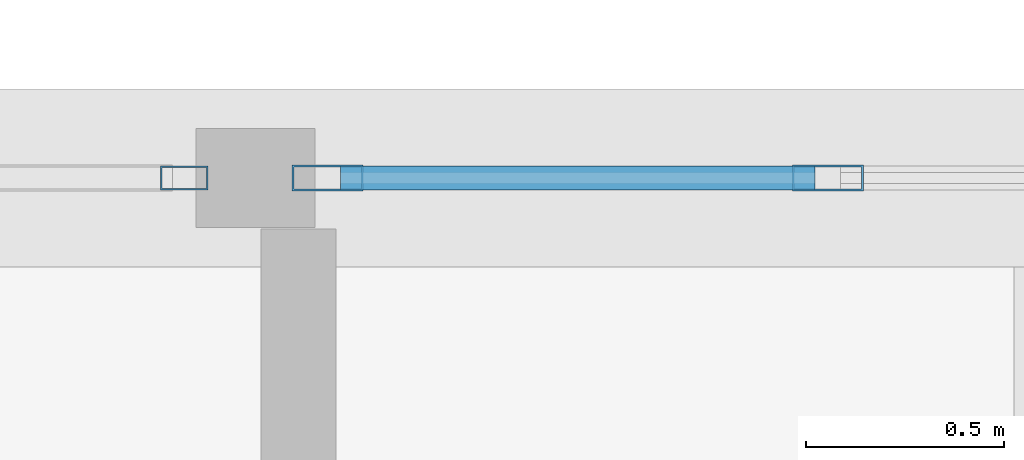
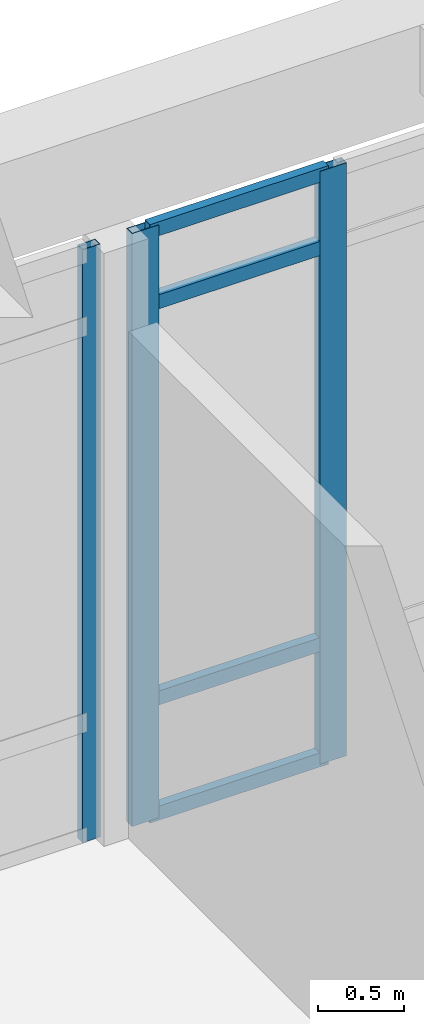
# One storey, part 52 of 138: 7 members, 2 elements without a shape of their own.
"""IFC4 building model written with IfcOpenShell, lengths in metres."""

from ifc_helpers import new_model, si_unit, direction, frame, origin, origin_2d, place, context, subcontext, project, spatial, hollow_rectangle, extrude, material, layer, layer_set, material_profile, profile_set, type_object, element, aggregate, save


model = new_model("IFC4")

# Units and contexts
model_context = context("Model", 3, precision=1e-05, world=origin(), true_north=direction((0.0, 1.0)))
body_context = subcontext(model_context, "Body", "Model", "MODEL_VIEW")
ifc_project = project(units=[si_unit("LENGTHUNIT", "METRE"), si_unit("AREAUNIT", "SQUARE_METRE"), si_unit("VOLUMEUNIT", "CUBIC_METRE"), si_unit("PLANEANGLEUNIT", "RADIAN"), si_unit("MASSUNIT", "GRAM", prefix="KILO")], contexts=[model_context])

# Site, building, storey
site_placement = place(None, origin())
site = spatial("IfcSite", under=ifc_project, at=site_placement, CompositionType="ELEMENT")
building_placement = place(site_placement, origin())
building = spatial("IfcBuilding", under=site, at=building_placement, Name="Fikremerkos Civic Library", CompositionType="ELEMENT")
storey_placement = place(building_placement, origin())
storey = spatial("IfcBuildingStorey", under=building, at=storey_placement, Name="L00", CompositionType="ELEMENT", Elevation=0.0)

# Curtain wall, members
ifc_material = material(Name="Anodized aluminium Frame", Category="aluminium")
ifc_layer_1 = layer(ifc_material, 0.159912109375, Name="Anodized aluminium Frame")
ifc_layer_set_1 = layer_set([ifc_layer_1], Name="Anodized aluminium Frame")
curtain_wall_type_1 = type_object("IfcCurtainWallType", Name="Unitised curtain wall CW-05 3800x4100", PredefinedType="USERDEFINED", material=ifc_layer_set_1)
curtain_wall_1_placement = place(storey_placement, origin())
curtain_wall_1 = element("IfcCurtainWall", 1, at=curtain_wall_1_placement, inside=storey, type_object=curtain_wall_type_1, Name="Unitised curtain wall CW-05 L00 #41", ObjectType="UNITISED CURTAIN WALL", PredefinedType="USERDEFINED")
ifc_material_profile_1 = material_profile(ifc_material, hollow_rectangle(XDim=0.06494140625, YDim=0.179931640625, WallThickness=0.00439453125, at=origin_2d()), Name="ALU 180x65x4.5")
ifc_profile_set_1 = profile_set([ifc_material_profile_1], Name="Anodized aluminium Frame")
member_type_1 = type_object("IfcMemberType", Name="Curtain mullion CWM-01 ALU 180x65x4.5", PredefinedType="MULLION", material=ifc_profile_set_1)
member_1_placement = place(storey_placement, frame((64.573486328125, 117.60009765625, 0.0), z_axis=(0.0, 0.0, 1.0), x_axis=(0.0, 1.0, 0.0)))
member_1 = element("IfcMember", 2, at=member_1_placement, type_object=member_type_1, Name="CW-05 mullion 1", PredefinedType="MULLION", context=body_context, shape_type="SweptSolid", body=[
    extrude(hollow_rectangle(XDim=0.06494140625, YDim=0.179931640625, WallThickness=0.00439453125, at=origin_2d()), origin(), (0.0, 0.0, 1.0), 4.219970703125),
])
member_2_placement = place(storey_placement, frame((65.838623046875, 117.60009765625, 0.0), z_axis=(0.0, 0.0, 1.0), x_axis=(0.0, 1.0, 0.0)))
member_2 = element("IfcMember", 3, at=member_2_placement, type_object=member_type_1, Name="CW-05 mullion 2", PredefinedType="MULLION", context=body_context, shape_type="SweptSolid", body=[
    extrude(hollow_rectangle(XDim=0.06494140625, YDim=0.179931640625, WallThickness=0.00439453125, at=origin_2d()), origin(), (0.0, 0.0, 1.0), 4.219970703125),
])

# Curtain wall, member
ifc_layer_2 = layer(ifc_material, 0.159912109375, Name="Anodized aluminium Frame")
ifc_layer_set_2 = layer_set([ifc_layer_2], Name="Anodized aluminium Frame")
curtain_wall_type_2 = type_object("IfcCurtainWallType", Name="Unitised curtain wall CW-04 3400x3600", PredefinedType="USERDEFINED", material=ifc_layer_set_2)
curtain_wall_2_placement = place(storey_placement, origin())
curtain_wall_2 = element("IfcCurtainWall", 4, at=curtain_wall_2_placement, inside=storey, type_object=curtain_wall_type_2, Name="Unitised curtain wall CW-04 L00 #40", ObjectType="UNITISED CURTAIN WALL", PredefinedType="USERDEFINED")
ifc_material_profile_2 = material_profile(ifc_material, hollow_rectangle(XDim=0.06005859375, YDim=0.1201171875, WallThickness=0.00390625, at=origin_2d()), Name="ALU 120x60x4")
ifc_profile_set_2 = profile_set([ifc_material_profile_2], Name="Anodized aluminium Frame")
member_type_2 = type_object("IfcMemberType", Name="Curtain mullion CWM-04 ALU 120x60x4", PredefinedType="MULLION", material=ifc_profile_set_2)
member_3_placement = place(storey_placement, frame((64.2109375, 117.60009765625, 0.0), z_axis=(0.0, 0.0, 1.0), x_axis=(0.0, 1.0, 0.0)))
member_3 = element("IfcMember", 5, at=member_3_placement, type_object=member_type_2, Name="CW-04 mullion 4", PredefinedType="MULLION", context=body_context, shape_type="SweptSolid", body=[
    extrude(hollow_rectangle(XDim=0.06005859375, YDim=0.1201171875, WallThickness=0.00390625, at=origin_2d()), origin(), (0.0, 0.0, 1.0), 4.219970703125),
])
aggregate(curtain_wall_2, [member_3])

# Member
ifc_material_profile_3 = material_profile(ifc_material, hollow_rectangle(XDim=0.06005859375, YDim=0.10009765625, WallThickness=0.00390625, at=origin_2d()), Name="ALU 100x60x4")
ifc_profile_set_3 = profile_set([ifc_material_profile_3], Name="Anodized aluminium Frame")
member_type_3 = type_object("IfcMemberType", Name="Curtain transom CWT-03 ALU 100x60x4", PredefinedType="USERDEFINED", material=ifc_profile_set_3)
member_4_placement = place(storey_placement, frame((64.60595703125, 117.60009765625, 0.030029296875), z_axis=(1.0, 0.0, 0.0), x_axis=(0.0, 1.0, 0.0)))
member_4 = element("IfcMember", 6, at=member_4_placement, type_object=member_type_3, Name="CW-05 transom 1.1", ObjectType="TRANSOM", PredefinedType="USERDEFINED", context=body_context, shape_type="SweptSolid", body=[
    extrude(hollow_rectangle(XDim=0.06005859375, YDim=0.10009765625, WallThickness=0.00390625, at=origin_2d()), origin(), (0.0, 0.0, 1.0), 1.2001953125),
])

member_5_placement = place(storey_placement, frame((64.60595703125, 117.60009765625, 0.85009765625), z_axis=(1.0, 0.0, 0.0), x_axis=(0.0, 1.0, 0.0)))
member_5 = element("IfcMember", 7, at=member_5_placement, type_object=member_type_3, Name="CW-05 transom 1.2", ObjectType="TRANSOM", PredefinedType="USERDEFINED", context=body_context, shape_type="SweptSolid", body=[
    extrude(hollow_rectangle(XDim=0.06005859375, YDim=0.10009765625, WallThickness=0.00390625, at=origin_2d()), origin(), (0.0, 0.0, 1.0), 1.2001953125),
])

member_6_placement = place(storey_placement, frame((64.60595703125, 117.60009765625, 3.669921875), z_axis=(1.0, 0.0, 0.0), x_axis=(0.0, 1.0, 0.0)))
member_6 = element("IfcMember", 8, at=member_6_placement, type_object=member_type_3, Name="CW-05 transom 1.3", ObjectType="TRANSOM", PredefinedType="USERDEFINED", context=body_context, shape_type="SweptSolid", body=[
    extrude(hollow_rectangle(XDim=0.06005859375, YDim=0.10009765625, WallThickness=0.00390625, at=origin_2d()), origin(), (0.0, 0.0, 1.0), 1.2001953125),
])

member_7_placement = place(storey_placement, frame((64.60595703125, 117.60009765625, 4.18994140625), z_axis=(1.0, 0.0, 0.0), x_axis=(0.0, 1.0, 0.0)))
member_7 = element("IfcMember", 9, at=member_7_placement, type_object=member_type_3, Name="CW-05 transom 1.4", ObjectType="TRANSOM", PredefinedType="USERDEFINED", context=body_context, shape_type="SweptSolid", body=[
    extrude(hollow_rectangle(XDim=0.06005859375, YDim=0.10009765625, WallThickness=0.00390625, at=origin_2d()), origin(), (0.0, 0.0, 1.0), 1.2001953125),
])

aggregate(curtain_wall_1, [member_1, member_2, member_4, member_5, member_6, member_7])

save(model, "model.ifc")
